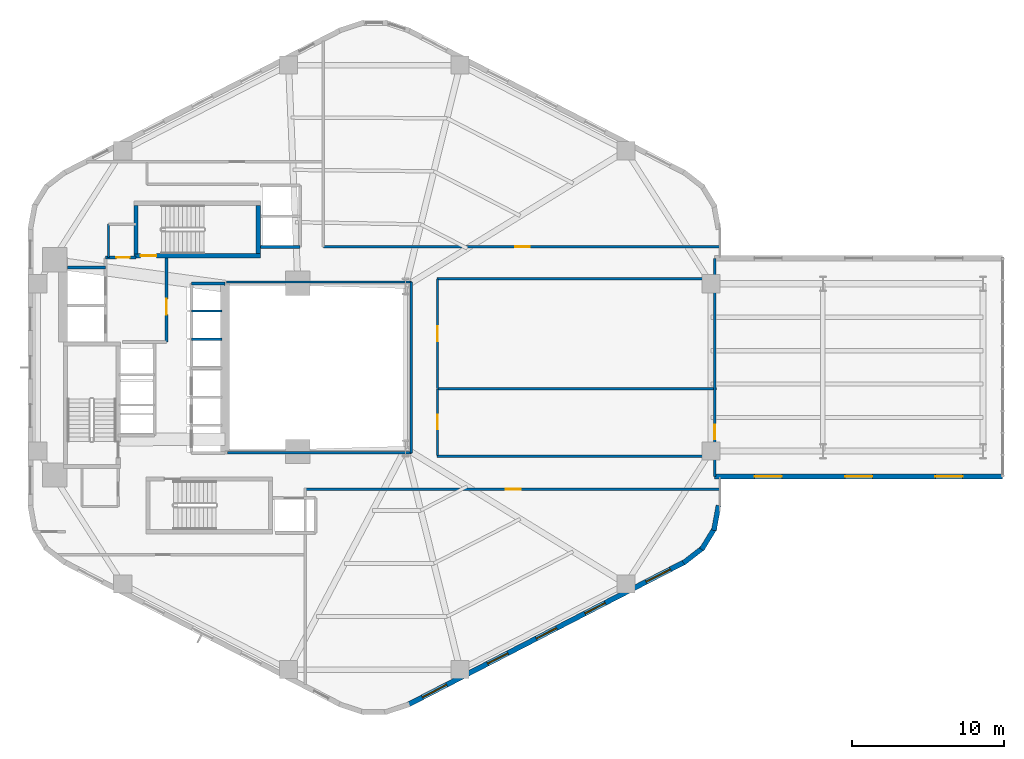
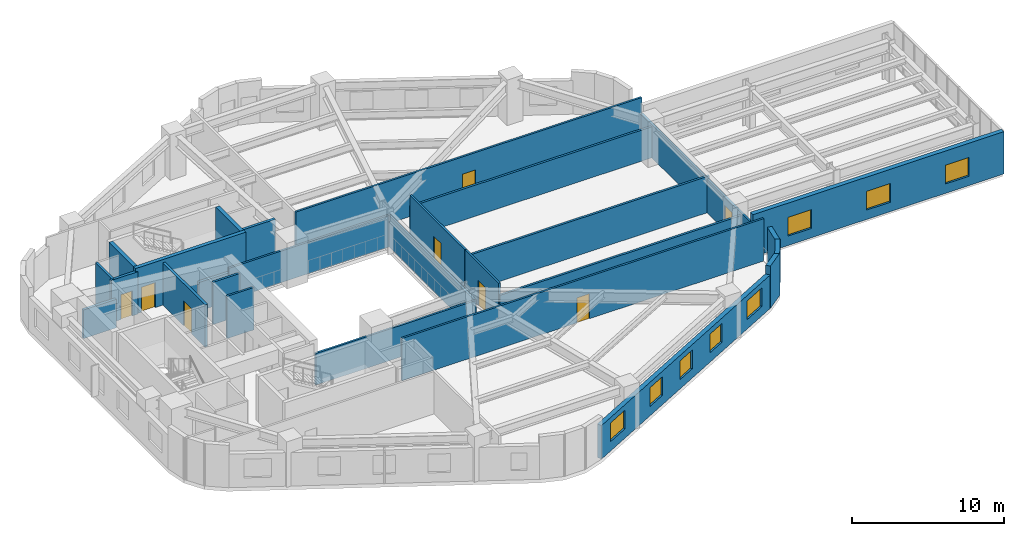
# One storey, part 6 of 10: 27 walls, 8 doors, 8 windows, 16 openings.
"""IFC4 building model written with IfcOpenShell, lengths in metres."""

from ifc_helpers import new_model, si_unit, direction, frame, frame_2d, origin, place, context, subcontext, project, spatial, rectangle, extrude, material, layer, layer_set, type_object, element, fill, save


model = new_model("IFC4")

# Units and contexts
model_context = context("Model", 3, precision=1e-05, world=origin(), true_north=direction((0.0, 1.0)))
body_context = subcontext(model_context, "Body", "Model", "MODEL_VIEW")
ifc_project = project(units=[si_unit("LENGTHUNIT", "METRE"), si_unit("AREAUNIT", "SQUARE_METRE"), si_unit("VOLUMEUNIT", "CUBIC_METRE"), si_unit("PLANEANGLEUNIT", "RADIAN"), si_unit("MASSUNIT", "GRAM", prefix="KILO"), si_unit("THERMODYNAMICTEMPERATUREUNIT", "KELVIN"), si_unit("POWERUNIT", "WATT")], contexts=[model_context])

# Site, building, storey
site_placement = place(None, origin())
site = spatial("IfcSite", under=ifc_project, at=site_placement, CompositionType="ELEMENT")
building_placement = place(site_placement, origin())
building = spatial("IfcBuilding", under=site, at=building_placement, Name="Skarre Station Tower", CompositionType="ELEMENT")
storey_placement = place(building_placement, frame((0.0, 0.0, 59.85009765625)))
storey = spatial("IfcBuildingStorey", under=building, at=storey_placement, Name="L15", CompositionType="ELEMENT", Elevation=59.85009765625)

# Walls
ifc_material_1 = material(Name="Acoustic Steel-Stud Gypsum Partition", Category="steel")
ifc_layer_1 = layer(ifc_material_1, 0.14990234375, Name="Acoustic Steel-Stud Gypsum Partition")
ifc_layer_set_1 = layer_set([ifc_layer_1], Name="Acoustic Steel-Stud Gypsum Partition")
wall_type_1 = type_object("IfcWallType", Name="Fire-Rated Corridor Acoustic Partition 150", PredefinedType="PARTITIONING", material=ifc_layer_set_1)
wall_1_placement = place(storey_placement, frame((19.85009765625, 33.449951171875, 0.0), z_axis=(0.0, 0.0, 1.0), x_axis=(0.0, -1.0, 0.0)))
element("IfcWall", 1, at=wall_1_placement, inside=storey, type_object=wall_type_1, Name="L15 Interior Partition WL-PT-L15-CNW-W", PredefinedType="PARTITIONING", context=body_context, shape_type="SweptSolid", body=[
    extrude(rectangle(XDim=2.18994140625, YDim=0.14990234375, at=frame_2d((1.094970703125, 0.0))), origin(), (0.0, 0.0, 1.0), 3.389892578125),
])
wall_2_placement = place(storey_placement, frame((27.699951171875, 18.360107421875, 0.0), z_axis=(0.0, 0.0, 1.0), x_axis=(1.0, 0.0, 0.0)))
element("IfcWall", 2, at=wall_2_placement, inside=storey, type_object=wall_type_1, Name="L15 Interior Partition WL-PT-L15-ATRW-S", PredefinedType="PARTITIONING", context=body_context, shape_type="SweptSolid", body=[
    extrude(rectangle(XDim=12.14013671875, YDim=0.14990234375, at=frame_2d((6.070068359375, 0.0))), origin(), (0.0, 0.0, 1.0), 2.531005859375),
])
wall_3_placement = place(storey_placement, frame((39.840087890625, 29.639892578125, 0.0), z_axis=(0.0, 0.0, 1.0), x_axis=(-1.0, 0.0, 0.0)))
element("IfcWall", 3, at=wall_3_placement, inside=storey, type_object=wall_type_1, Name="L15 Interior Partition WL-PT-L15-ATRW-N", PredefinedType="PARTITIONING", context=body_context, shape_type="SweptSolid", body=[
    extrude(rectangle(XDim=12.2001953125, YDim=0.14990234375, at=frame_2d((6.10009765625, 0.0))), origin(), (0.0, 0.0, 1.0), 2.531005859375),
])
wall_4_placement = place(storey_placement, frame((39.840087890625, 18.360107421875, 0.0), z_axis=(0.0, 0.0, 1.0), x_axis=(0.0, 1.0, 0.0)))
element("IfcWall", 4, at=wall_4_placement, inside=storey, type_object=wall_type_1, Name="L15 Interior Partition WL-PT-L15-ATRW-E", PredefinedType="PARTITIONING", context=body_context, shape_type="SweptSolid", body=[
    extrude(rectangle(XDim=11.27978515625, YDim=0.14990234375, at=frame_2d((5.639892578125, 0.0))), origin(), (0.0, 0.0, 1.0), 2.512939453125),
])

# Wall, opening, door
wall_5_placement = place(storey_placement, frame((60.2529296875, 31.9599609375, 0.0), z_axis=(0.0, 0.0, 1.0), x_axis=(-1.0, 0.0, 0.0)))
wall_5 = element("IfcWall", 5, at=wall_5_placement, inside=storey, type_object=wall_type_1, Name="L15 Interior Partition WL-PT-L15-NW1-CW", PredefinedType="PARTITIONING", context=body_context, shape_type="SweptSolid", body=[
    extrude(rectangle(XDim=26.212890625, YDim=0.14990234375, at=frame_2d((13.1064453125, 0.0))), origin(), (0.0, 0.0, 1.0), 3.389892578125),
])
opening_1_placement = place(wall_5_placement, frame((12.612060546875, 0.0, 0.0)))
opening_1 = element("IfcOpeningElement", 6, at=opening_1_placement, cuts=wall_5, Name="Opening DR-FD60", PredefinedType="OPENING", context=body_context, shape_type="SweptSolid", body=[
    extrude(rectangle(XDim=0.9599609375, YDim=2.0, at=frame_2d((0.47998046875, 1.0))), frame((0.0, 0.0849609375, 0.0), z_axis=(0.0, -1.0, 0.0), x_axis=(1.0, 0.0, 0.0)), (0.0, 0.0, 1.0), 0.169921875),
])
ifc_material_2 = material(Name="Nordic White-Oak Veneer Solid-Core Fire Leaf", Category="wood")
door_type_1 = type_object("IfcDoorType", Name="Corridor Suite Entry Fire Door FD60 960x2150", OperationType="SINGLE_SWING_LEFT", PredefinedType="DOOR", material=ifc_material_2)
door_1_placement = place(opening_1_placement, origin())
door_1 = element("IfcDoor", 7, at=door_1_placement, inside=storey, type_object=door_type_1, Name="L15 NW1 Entry Door", OperationType="SINGLE_SWING_LEFT", OverallHeight=2.0, OverallWidth=0.9599609375, PredefinedType="DOOR", context=body_context, shape_type="SweptSolid", body=[
    extrude(rectangle(XDim=0.9599609375, YDim=2.0, at=frame_2d((0.47998046875, 1.0))), frame((0.0, 0.02490234375, 0.0), z_axis=(0.0, -1.0, 0.0), x_axis=(1.0, 0.0, 0.0)), (0.0, 0.0, 1.0), 0.050048828125),
])
fill(opening_1, door_1)

wall_6_placement = place(storey_placement, frame((41.56005859375, 18.179931640625, 0.0), z_axis=(0.0, 0.0, 1.0), x_axis=(0.0, 1.0, 0.0)))
wall_6 = element("IfcWall", 8, at=wall_6_placement, inside=storey, type_object=wall_type_1, Name="L15 Interior Partition WL-PT-L15-EW1-CW", PredefinedType="PARTITIONING", context=body_context, shape_type="SweptSolid", body=[
    extrude(rectangle(XDim=4.405029296875, YDim=0.14990234375, at=frame_2d((2.20263671875, 0.0))), origin(), (0.0, 0.0, 1.0), 3.389892578125),
])
opening_2_placement = place(wall_6_placement, frame((1.722900390625, 0.0, 0.0)))
opening_2 = element("IfcOpeningElement", 9, at=opening_2_placement, cuts=wall_6, Name="Opening DR-FD60", PredefinedType="OPENING", context=body_context, shape_type="SweptSolid", body=[
    extrude(rectangle(XDim=0.9599609375, YDim=2.0, at=frame_2d((0.47998046875, 1.0))), frame((0.0, 0.0849609375, 0.0), z_axis=(0.0, -1.0, 0.0), x_axis=(1.0, 0.0, 0.0)), (0.0, 0.0, 1.0), 0.169921875),
])
door_2_placement = place(opening_2_placement, origin())
door_2 = element("IfcDoor", 10, at=door_2_placement, inside=storey, type_object=door_type_1, Name="L15 EW1 Entry Door", OperationType="SINGLE_SWING_LEFT", OverallHeight=2.0, OverallWidth=0.9599609375, PredefinedType="DOOR", context=body_context, shape_type="SweptSolid", body=[
    extrude(rectangle(XDim=0.9599609375, YDim=2.0, at=frame_2d((0.47998046875, 1.0))), frame((0.0, 0.02490234375, 0.0), z_axis=(0.0, -1.0, 0.0), x_axis=(1.0, 0.0, 0.0)), (0.0, 0.0, 1.0), 0.050048828125),
])
fill(opening_2, door_2)

wall_7_placement = place(storey_placement, frame((41.56005859375, 22.62109375, 0.0), z_axis=(0.0, 0.0, 1.0), x_axis=(0.0, 1.0, 0.0)))
wall_7 = element("IfcWall", 11, at=wall_7_placement, inside=storey, type_object=wall_type_1, Name="L15 Interior Partition WL-PT-L15-EW2-CW", PredefinedType="PARTITIONING", context=body_context, shape_type="SweptSolid", body=[
    extrude(rectangle(XDim=7.198974609375, YDim=0.14990234375, at=frame_2d((3.599609375, 0.0))), origin(), (0.0, 0.0, 1.0), 3.389892578125),
])
opening_3_placement = place(wall_7_placement, frame((3.1201171875, 0.0, 0.0)))
opening_3 = element("IfcOpeningElement", 12, at=opening_3_placement, cuts=wall_7, Name="Opening DR-FD60", PredefinedType="OPENING", context=body_context, shape_type="SweptSolid", body=[
    extrude(rectangle(XDim=0.9599609375, YDim=2.0, at=frame_2d((0.47998046875, 1.0))), frame((0.0, 0.0849609375, 0.0), z_axis=(0.0, -1.0, 0.0), x_axis=(1.0, 0.0, 0.0)), (0.0, 0.0, 1.0), 0.169921875),
])
door_3_placement = place(opening_3_placement, origin())
door_3 = element("IfcDoor", 13, at=door_3_placement, inside=storey, type_object=door_type_1, Name="L15 EW2 Entry Door", OperationType="SINGLE_SWING_LEFT", OverallHeight=2.0, OverallWidth=0.9599609375, PredefinedType="DOOR", context=body_context, shape_type="SweptSolid", body=[
    extrude(rectangle(XDim=0.9599609375, YDim=2.0, at=frame_2d((0.47998046875, 1.0))), frame((0.0, 0.02490234375, 0.0), z_axis=(0.0, -1.0, 0.0), x_axis=(1.0, 0.0, 0.0)), (0.0, 0.0, 1.0), 0.050048828125),
])
fill(opening_3, door_3)

wall_8_placement = place(storey_placement, frame((32.85009765625, 15.9599609375, 0.0), z_axis=(0.0, 0.0, 1.0), x_axis=(1.0, 0.0, 0.0)))
wall_8 = element("IfcWall", 14, at=wall_8_placement, inside=storey, type_object=wall_type_1, Name="L15 Interior Partition WL-PT-L15-SW1-CW", PredefinedType="PARTITIONING", context=body_context, shape_type="SweptSolid", body=[
    extrude(rectangle(XDim=27.40283203125, YDim=0.14990234375, at=frame_2d((13.701416015625, 0.0))), origin(), (0.0, 0.0, 1.0), 3.389892578125),
])
opening_4_placement = place(wall_8_placement, frame((13.235107421875, 0.0, 0.0)))
opening_4 = element("IfcOpeningElement", 15, at=opening_4_placement, cuts=wall_8, Name="Opening DR-FD60", PredefinedType="OPENING", context=body_context, shape_type="SweptSolid", body=[
    extrude(rectangle(XDim=0.9599609375, YDim=2.0, at=frame_2d((0.47998046875, 1.0))), frame((0.0, 0.0849609375, 0.0), z_axis=(0.0, -1.0, 0.0), x_axis=(1.0, 0.0, 0.0)), (0.0, 0.0, 1.0), 0.169921875),
])
door_4_placement = place(opening_4_placement, origin())
door_4 = element("IfcDoor", 16, at=door_4_placement, inside=storey, type_object=door_type_1, Name="L15 SW1 Entry Door", OperationType="SINGLE_SWING_LEFT", OverallHeight=2.0, OverallWidth=0.9599609375, PredefinedType="DOOR", context=body_context, shape_type="SweptSolid", body=[
    extrude(rectangle(XDim=0.9599609375, YDim=2.0, at=frame_2d((0.47998046875, 1.0))), frame((0.0, 0.02490234375, 0.0), z_axis=(0.0, -1.0, 0.0), x_axis=(1.0, 0.0, 0.0)), (0.0, 0.0, 1.0), 0.050048828125),
])
fill(opening_4, door_4)

# Wall, openings, windows
ifc_material_3 = material(Name="Precast concrete C45/55", Category="concrete")
ifc_layer_2 = layer(ifc_material_3, 0.340087890625, Name="Precast concrete C45/55")
ifc_layer_set_2 = layer_set([ifc_layer_2], Name="Precast concrete C45/55")
wall_type_2 = type_object("IfcWallType", Name="Nordic Honed Precast Facet Wall 340", PredefinedType="STANDARD", material=ifc_layer_set_2)
wall_9_placement = place(storey_placement, frame((57.8759765625, 11.158935546875, 0.0), z_axis=(0.0, 0.0, 1.0), x_axis=(-0.888634413993, -0.458616264721, 0.0)))
wall_9 = element("IfcWall", 17, at=wall_9_placement, inside=storey, type_object=wall_type_2, Name="L15 Facet 4 Nordic Precast Masonry Wall", PredefinedType="STANDARD", context=body_context, shape_type="SweptSolid", body=[
    extrude(rectangle(XDim=20.53125, YDim=0.340087890625, at=frame_2d((10.265625, 0.0))), origin(), (0.0, 0.0, 1.0), 2.683837890625),
])
opening_5_placement = place(wall_9_placement, frame((1.05810546875, 0.0, 0.75)))
opening_5 = element("IfcOpeningElement", 18, at=opening_5_placement, cuts=wall_9, Name="Opening WN-Z1A", PredefinedType="OPENING", context=body_context, shape_type="SweptSolid", body=[
    extrude(rectangle(XDim=1.800048828125, YDim=1.5, at=frame_2d((0.89990234375, 0.75))), frame((0.0, 0.179931640625, 0.0), z_axis=(0.0, -1.0, 0.0), x_axis=(1.0, 0.0, 0.0)), (0.0, 0.0, 1.0), 0.360107421875),
])
opening_6_placement = place(wall_9_placement, frame((5.903076171875, 0.0, 0.75)))
opening_6 = element("IfcOpeningElement", 19, at=opening_6_placement, cuts=wall_9, Name="Opening WN-Z1B", PredefinedType="OPENING", context=body_context, shape_type="SweptSolid", body=[
    extrude(rectangle(XDim=1.5, YDim=1.5, at=frame_2d((0.75, 0.75))), frame((0.0, 0.179931640625, 0.0), z_axis=(0.0, -1.0, 0.0), x_axis=(1.0, 0.0, 0.0)), (0.0, 0.0, 1.0), 0.360107421875),
])
opening_7_placement = place(wall_9_placement, frame((9.51611328125, 0.0, 0.75)))
opening_7 = element("IfcOpeningElement", 20, at=opening_7_placement, cuts=wall_9, Name="Opening WN-Z1B", PredefinedType="OPENING", context=body_context, shape_type="SweptSolid", body=[
    extrude(rectangle(XDim=1.5, YDim=1.5, at=frame_2d((0.75, 0.75))), frame((0.0, 0.179931640625, 0.0), z_axis=(0.0, -1.0, 0.0), x_axis=(1.0, 0.0, 0.0)), (0.0, 0.0, 1.0), 0.360107421875),
])
opening_8_placement = place(wall_9_placement, frame((13.12890625, 0.0, 0.75)))
opening_8 = element("IfcOpeningElement", 21, at=opening_8_placement, cuts=wall_9, Name="Opening WN-Z1B", PredefinedType="OPENING", context=body_context, shape_type="SweptSolid", body=[
    extrude(rectangle(XDim=1.5, YDim=1.5, at=frame_2d((0.75, 0.75))), frame((0.0, 0.179931640625, 0.0), z_axis=(0.0, -1.0, 0.0), x_axis=(1.0, 0.0, 0.0)), (0.0, 0.0, 1.0), 0.360107421875),
])
opening_9_placement = place(wall_9_placement, frame((17.673095703125, 0.0, 0.75)))
opening_9 = element("IfcOpeningElement", 22, at=opening_9_placement, cuts=wall_9, Name="Opening WN-Z1A", PredefinedType="OPENING", context=body_context, shape_type="SweptSolid", body=[
    extrude(rectangle(XDim=1.800048828125, YDim=1.5, at=frame_2d((0.89990234375, 0.75))), frame((0.0, 0.179931640625, 0.0), z_axis=(0.0, -1.0, 0.0), x_axis=(1.0, 0.0, 0.0)), (0.0, 0.0, 1.0), 0.360107421875),
])
ifc_material_4 = material(Name="Low-Iron Triple Glazing with Bronze Anodized Frame", Category="glass")
window_type_1 = type_object("IfcWindowType", Name="Nordic Punched Triple-Glazed Window 1500x1500", PartitioningType="SINGLE_PANEL", PredefinedType="WINDOW", material=ifc_material_4)
window_1_placement = place(opening_6_placement, origin())
window_1 = element("IfcWindow", 23, at=window_1_placement, inside=storey, type_object=window_type_1, Name="L15 Facade Window WL-FAC-L15-F4-2", OverallHeight=1.5, OverallWidth=1.5, PartitioningType="SINGLE_PANEL", PredefinedType="WINDOW", context=body_context, shape_type="SweptSolid", body=[
    extrude(rectangle(XDim=1.5, YDim=1.5, at=frame_2d((0.75, 0.75))), frame((0.0, 0.030029296875, 0.0), z_axis=(0.0, -1.0, 0.0), x_axis=(1.0, 0.0, 0.0)), (0.0, 0.0, 1.0), 0.06005859375),
])
fill(opening_6, window_1)
window_2_placement = place(opening_7_placement, origin())
window_2 = element("IfcWindow", 24, at=window_2_placement, inside=storey, type_object=window_type_1, Name="L15 Facade Window WL-FAC-L15-F4-3", OverallHeight=1.5, OverallWidth=1.5, PartitioningType="SINGLE_PANEL", PredefinedType="WINDOW", context=body_context, shape_type="SweptSolid", body=[
    extrude(rectangle(XDim=1.5, YDim=1.5, at=frame_2d((0.75, 0.75))), frame((0.0, 0.030029296875, 0.0), z_axis=(0.0, -1.0, 0.0), x_axis=(1.0, 0.0, 0.0)), (0.0, 0.0, 1.0), 0.06005859375),
])
fill(opening_7, window_2)
window_3_placement = place(opening_8_placement, origin())
window_3 = element("IfcWindow", 25, at=window_3_placement, inside=storey, type_object=window_type_1, Name="L15 Facade Window WL-FAC-L15-F4-4", OverallHeight=1.5, OverallWidth=1.5, PartitioningType="SINGLE_PANEL", PredefinedType="WINDOW", context=body_context, shape_type="SweptSolid", body=[
    extrude(rectangle(XDim=1.5, YDim=1.5, at=frame_2d((0.75, 0.75))), frame((0.0, 0.030029296875, 0.0), z_axis=(0.0, -1.0, 0.0), x_axis=(1.0, 0.0, 0.0)), (0.0, 0.0, 1.0), 0.06005859375),
])
fill(opening_8, window_3)
window_type_2 = type_object("IfcWindowType", Name="Nordic Punched Triple-Glazed Window 1800x1500", PartitioningType="SINGLE_PANEL", PredefinedType="WINDOW", material=ifc_material_4)
window_4_placement = place(opening_5_placement, origin())
window_4 = element("IfcWindow", 26, at=window_4_placement, inside=storey, type_object=window_type_2, Name="L15 Facade Window WL-FAC-L15-F4-1", OverallHeight=1.5, OverallWidth=1.800048828125, PartitioningType="SINGLE_PANEL", PredefinedType="WINDOW", context=body_context, shape_type="SweptSolid", body=[
    extrude(rectangle(XDim=1.800048828125, YDim=1.5, at=frame_2d((0.89990234375, 0.75))), frame((0.0, 0.030029296875, 0.0), z_axis=(0.0, -1.0, 0.0), x_axis=(1.0, 0.0, 0.0)), (0.0, 0.0, 1.0), 0.06005859375),
])
fill(opening_5, window_4)
window_5_placement = place(opening_9_placement, origin())
window_5 = element("IfcWindow", 27, at=window_5_placement, inside=storey, type_object=window_type_2, Name="L15 Facade Window WL-FAC-L15-F4-5", OverallHeight=1.5, OverallWidth=1.800048828125, PartitioningType="SINGLE_PANEL", PredefinedType="WINDOW", context=body_context, shape_type="SweptSolid", body=[
    extrude(rectangle(XDim=1.800048828125, YDim=1.5, at=frame_2d((0.89990234375, 0.75))), frame((0.0, 0.030029296875, 0.0), z_axis=(0.0, -1.0, 0.0), x_axis=(1.0, 0.0, 0.0)), (0.0, 0.0, 1.0), 0.06005859375),
])
fill(opening_9, window_5)

wall_10_placement = place(storey_placement, frame((78.863037109375, 16.800048828125, 0.0), z_axis=(0.0, 0.0, 1.0), x_axis=(-1.0, 0.0, 0.0)))
wall_10 = element("IfcWall", 28, at=wall_10_placement, inside=storey, type_object=wall_type_2, Name="L15 SB-1 Side 1 Precast Wall", PredefinedType="STANDARD", context=body_context, shape_type="SweptSolid", body=[
    extrude(rectangle(XDim=19.0, YDim=0.340087890625, at=frame_2d((9.5, 0.0))), origin(), (0.0, 0.0, 1.0), 3.389892578125),
])
opening_10_placement = place(wall_10_placement, frame((2.633056640625, 0.0, 0.75)))
opening_10 = element("IfcOpeningElement", 29, at=opening_10_placement, cuts=wall_10, Name="Opening WN-Z1A", PredefinedType="OPENING", context=body_context, shape_type="SweptSolid", body=[
    extrude(rectangle(XDim=1.800048828125, YDim=1.5, at=frame_2d((0.89990234375, 0.75))), frame((0.0, 0.179931640625, 0.0), z_axis=(0.0, -1.0, 0.0), x_axis=(1.0, 0.0, 0.0)), (0.0, 0.0, 1.0), 0.360107421875),
])
opening_11_placement = place(wall_10_placement, frame((8.60009765625, 0.0, 0.75)))
opening_11 = element("IfcOpeningElement", 30, at=opening_11_placement, cuts=wall_10, Name="Opening WN-Z1A", PredefinedType="OPENING", context=body_context, shape_type="SweptSolid", body=[
    extrude(rectangle(XDim=1.800048828125, YDim=1.5, at=frame_2d((0.89990234375, 0.75))), frame((0.0, 0.179931640625, 0.0), z_axis=(0.0, -1.0, 0.0), x_axis=(1.0, 0.0, 0.0)), (0.0, 0.0, 1.0), 0.360107421875),
])
opening_12_placement = place(wall_10_placement, frame((14.56689453125, 0.0, 0.75)))
opening_12 = element("IfcOpeningElement", 31, at=opening_12_placement, cuts=wall_10, Name="Opening WN-Z1A", PredefinedType="OPENING", context=body_context, shape_type="SweptSolid", body=[
    extrude(rectangle(XDim=1.800048828125, YDim=1.5, at=frame_2d((0.89990234375, 0.75))), frame((0.0, 0.179931640625, 0.0), z_axis=(0.0, -1.0, 0.0), x_axis=(1.0, 0.0, 0.0)), (0.0, 0.0, 1.0), 0.360107421875),
])
window_6_placement = place(opening_10_placement, origin())
window_6 = element("IfcWindow", 32, at=window_6_placement, inside=storey, type_object=window_type_2, Name="L15 Facade Window WL-SB-1-L15-S1-1", OverallHeight=1.5, OverallWidth=1.800048828125, PartitioningType="SINGLE_PANEL", PredefinedType="WINDOW", context=body_context, shape_type="SweptSolid", body=[
    extrude(rectangle(XDim=1.800048828125, YDim=1.5, at=frame_2d((0.89990234375, 0.75))), frame((0.0, 0.030029296875, 0.0), z_axis=(0.0, -1.0, 0.0), x_axis=(1.0, 0.0, 0.0)), (0.0, 0.0, 1.0), 0.06005859375),
])
fill(opening_10, window_6)
window_7_placement = place(opening_11_placement, origin())
window_7 = element("IfcWindow", 33, at=window_7_placement, inside=storey, type_object=window_type_2, Name="L15 Facade Window WL-SB-1-L15-S1-2", OverallHeight=1.5, OverallWidth=1.800048828125, PartitioningType="SINGLE_PANEL", PredefinedType="WINDOW", context=body_context, shape_type="SweptSolid", body=[
    extrude(rectangle(XDim=1.800048828125, YDim=1.5, at=frame_2d((0.89990234375, 0.75))), frame((0.0, 0.030029296875, 0.0), z_axis=(0.0, -1.0, 0.0), x_axis=(1.0, 0.0, 0.0)), (0.0, 0.0, 1.0), 0.06005859375),
])
fill(opening_11, window_7)
window_8_placement = place(opening_12_placement, origin())
window_8 = element("IfcWindow", 34, at=window_8_placement, inside=storey, type_object=window_type_2, Name="L15 Facade Window WL-SB-1-L15-S1-3", OverallHeight=1.5, OverallWidth=1.800048828125, PartitioningType="SINGLE_PANEL", PredefinedType="WINDOW", context=body_context, shape_type="SweptSolid", body=[
    extrude(rectangle(XDim=1.800048828125, YDim=1.5, at=frame_2d((0.89990234375, 0.75))), frame((0.0, 0.030029296875, 0.0), z_axis=(0.0, -1.0, 0.0), x_axis=(1.0, 0.0, 0.0)), (0.0, 0.0, 1.0), 0.06005859375),
])
fill(opening_12, window_8)

# Walls
ifc_layer_3 = layer(ifc_material_3, 0.330078125, Name="Precast concrete C45/55")
ifc_layer_set_3 = layer_set([ifc_layer_3], Name="Precast concrete C45/55")
wall_type_3 = type_object("IfcWallType", Name="Nordic Rounded Corner Precast Wall 330", PredefinedType="STANDARD", material=ifc_layer_set_3)
wall_11_placement = place(storey_placement, frame((60.113037109375, 14.89208984375, 0.0), z_axis=(0.0, 0.0, 1.0), x_axis=(-0.181714143354, -0.983351397063, 0.0)))
element("IfcWall", 35, at=wall_11_placement, inside=storey, type_object=wall_type_3, Name="L15 Rounded Corner Precast Wall F5-1", PredefinedType="STANDARD", context=body_context, shape_type="SweptSolid", body=[
    extrude(rectangle(XDim=1.677978515625, YDim=0.330078125, at=frame_2d((0.8388671875, 0.0))), origin(), (0.0, 0.0, 1.0), 3.389892578125),
])
wall_12_placement = place(storey_placement, frame((59.875, 13.4169921875, 0.0), z_axis=(0.0, 0.0, 1.0), x_axis=(-0.520584129191, -0.853810379671, 0.0)))
element("IfcWall", 36, at=wall_12_placement, inside=storey, type_object=wall_type_3, Name="L15 Rounded Corner Precast Wall F5-2", PredefinedType="STANDARD", context=body_context, shape_type="SweptSolid", body=[
    extrude(rectangle(XDim=1.677001953125, YDim=0.330078125, at=frame_2d((0.83837890625, 0.0))), origin(), (0.0, 0.0, 1.0), 3.389892578125),
])
wall_13_placement = place(storey_placement, frame((59.126953125, 12.125, 0.0), z_axis=(0.0, 0.0, 1.0), x_axis=(-0.790691856293, -0.61221433207, 0.0)))
element("IfcWall", 37, at=wall_13_placement, inside=storey, type_object=wall_type_3, Name="L15 Rounded Corner Precast Wall F5-3", PredefinedType="STANDARD", context=body_context, shape_type="SweptSolid", body=[
    extrude(rectangle(XDim=1.67578125, YDim=0.330078125, at=frame_2d((0.837890625, 0.0))), origin(), (0.0, 0.0, 1.0), 3.389892578125),
])

# Wall, opening, door
ifc_material_5 = material(Name="Concrete C50/60", Category="concrete")
ifc_layer_4 = layer(ifc_material_5, 0.280029296875, Name="Concrete C50/60")
ifc_layer_set_4 = layer_set([ifc_layer_4], Name="Concrete C50/60")
wall_type_4 = type_object("IfcWallType", Name="RC Core Shear Wall 280", PredefinedType="SHEAR", material=ifc_layer_set_4)
wall_14_placement = place(storey_placement, frame((21.52001953125, 31.360107421875, 0.0), z_axis=(0.0, 0.0, 1.0), x_axis=(1.0, 0.0, 0.0)))
wall_14 = element("IfcWall", 38, at=wall_14_placement, inside=storey, type_object=wall_type_4, Name="L15 Stair ST-3 South Shear Wall", PredefinedType="SHEAR", context=body_context, shape_type="SweptSolid", body=[
    extrude(rectangle(XDim=8.35986328125, YDim=0.280029296875, at=frame_2d((4.179931640625, 0.0))), origin(), (0.0, 0.0, 1.0), 3.64990234375),
])
opening_13_placement = place(wall_14_placement, frame((0.449951171875, 0.0, 0.0)))
opening_13 = element("IfcOpeningElement", 39, at=opening_13_placement, cuts=wall_14, Name="Opening DR-FD90", PredefinedType="OPENING", context=body_context, shape_type="SweptSolid", body=[
    extrude(rectangle(XDim=1.050048828125, YDim=2.0, at=frame_2d((0.52490234375, 1.0))), frame((0.0, 0.14990234375, 0.0), z_axis=(0.0, -1.0, 0.0), x_axis=(1.0, 0.0, 0.0)), (0.0, 0.0, 1.0), 0.300048828125),
])
ifc_material_6 = material(Name="Fire-Rated Insulated Steel Frame & Timber Core Leaf", Category="steel")
door_type_2 = type_object("IfcDoorType", Name="Stair & FSAE Lobby Fire Door FD90 1050x2150", OperationType="SINGLE_SWING_RIGHT", PredefinedType="DOOR", material=ifc_material_6)
door_5_placement = place(opening_13_placement, origin())
door_5 = element("IfcDoor", 40, at=door_5_placement, inside=storey, type_object=door_type_2, Name="L15 Stair ST-3 & FSAE Lobby Direct Exit Door", OperationType="SINGLE_SWING_LEFT", OverallHeight=2.0, OverallWidth=1.050048828125, PredefinedType="DOOR", context=body_context, shape_type="SweptSolid", body=[
    extrude(rectangle(XDim=1.050048828125, YDim=2.0, at=frame_2d((0.52490234375, 1.0))), frame((0.0, 0.02490234375, 0.0), z_axis=(0.0, -1.0, 0.0), x_axis=(1.0, 0.0, 0.0)), (0.0, 0.0, 1.0), 0.050048828125),
])
fill(opening_13, door_5)

# Walls
for number, where, z_axis, x_axis, name in (
    (41, (21.659912109375, 34.699951171875, 0.0), (0.0, 0.0, 1.0), (0.0, -1.0, 0.0), "L15 Stair ST-3 West Shear Wall"),
    (42, (29.739990234375, 31.5, 0.0), (0.0, 0.0, 1.0), (0.0, 1.0, 0.0), "L15 Stair ST-3 East Shear Wall"),
):
    element("IfcWall", number, at=place(storey_placement, frame(where, z_axis=z_axis, x_axis=x_axis)), inside=storey, type_object=wall_type_4, Name=name, PredefinedType="SHEAR", context=body_context, shape_type="SweptSolid", body=[
        extrude(rectangle(XDim=3.199951171875, YDim=0.280029296875, at=frame_2d((1.60009765625, 0.0))), origin(), (0.0, 0.0, 1.0), 3.64990234375),
    ])

# Wall, opening, door
ifc_material_7 = material(Name="Gypsum Concrete Shaft Assembly C30/37", Category="concrete")
ifc_layer_5 = layer(ifc_material_7, 0.199951171875, Name="Gypsum Concrete Shaft Assembly C30/37")
ifc_layer_set_5 = layer_set([ifc_layer_5], Name="Gypsum Concrete Shaft Assembly C30/37")
wall_type_5 = type_object("IfcWallType", Name="Shaft & Core Fire Partition 200", PredefinedType="PARTITIONING", material=ifc_layer_set_5)
wall_15_placement = place(storey_placement, frame((23.679931640625, 25.679931640625, 0.0), z_axis=(0.0, 0.0, 1.0), x_axis=(0.0, 1.0, 0.0)))
wall_15 = element("IfcWall", 43, at=wall_15_placement, inside=storey, type_object=wall_type_5, Name="L15 Interior Partition WL-PT-L15-FSAE-E", PredefinedType="PARTITIONING", context=body_context, shape_type="SweptSolid", body=[
    extrude(rectangle(XDim=5.5400390625, YDim=0.199951171875, at=frame_2d((2.77001953125, 0.0))), origin(), (0.0, 0.0, 1.0), 3.389892578125),
])
opening_14_placement = place(wall_15_placement, frame((1.800048828125, 0.0, 0.0)))
opening_14 = element("IfcOpeningElement", 44, at=opening_14_placement, cuts=wall_15, Name="Opening DR-FD90", PredefinedType="OPENING", context=body_context, shape_type="SweptSolid", body=[
    extrude(rectangle(XDim=1.050048828125, YDim=2.0, at=frame_2d((0.52490234375, 1.0))), frame((0.0, 0.10986328125, 0.0), z_axis=(0.0, -1.0, 0.0), x_axis=(1.0, 0.0, 0.0)), (0.0, 0.0, 1.0), 0.219970703125),
])
door_6_placement = place(opening_14_placement, origin())
door_6 = element("IfcDoor", 45, at=door_6_placement, inside=storey, type_object=door_type_2, Name="L15 FSAE Lobby Fire Door", OperationType="SINGLE_SWING_RIGHT", OverallHeight=2.0, OverallWidth=1.050048828125, PredefinedType="DOOR", context=body_context, shape_type="SweptSolid", body=[
    extrude(rectangle(XDim=1.050048828125, YDim=2.0, at=frame_2d((0.52490234375, 1.0))), frame((0.0, 0.02490234375, 0.0), z_axis=(0.0, -1.0, 0.0), x_axis=(1.0, 0.0, 0.0)), (0.0, 0.0, 1.0), 0.050048828125),
])
fill(opening_14, door_6)

wall_16_placement = place(storey_placement, frame((21.659912109375, 31.260009765625, 0.0), z_axis=(0.0, 0.0, 1.0), x_axis=(-1.0, 0.0, 0.0)))
wall_16 = element("IfcWall", 46, at=wall_16_placement, inside=storey, type_object=wall_type_5, Name="L15 Interior Partition WL-PT-L15-FSAE-N", PredefinedType="PARTITIONING", context=body_context, shape_type="SweptSolid", body=[
    extrude(rectangle(XDim=2.010009765625, YDim=0.199951171875, at=frame_2d((1.0048828125, 0.0))), origin(), (0.0, 0.0, 1.0), 3.389892578125),
])
opening_15_placement = place(wall_16_placement, frame((0.419921875, 0.0, 0.0)))
opening_15 = element("IfcOpeningElement", 47, at=opening_15_placement, cuts=wall_16, Name="Opening DR-SVC86", PredefinedType="OPENING", context=body_context, shape_type="SweptSolid", body=[
    extrude(rectangle(XDim=0.860107421875, YDim=2.0, at=frame_2d((0.43017578125, 1.0))), frame((0.0, 0.10986328125, 0.0), z_axis=(0.0, -1.0, 0.0), x_axis=(1.0, 0.0, 0.0)), (0.0, 0.0, 1.0), 0.219970703125),
])
ifc_material_8 = material(Name="Powder-Coated Hollow-Metal Acoustic Fire Leaf", Category="steel")
door_type_3 = type_object("IfcDoorType", Name="Compact Riser Fire Door FD60 860x2100", OperationType="SINGLE_SWING_LEFT", PredefinedType="DOOR", material=ifc_material_8)
door_7_placement = place(opening_15_placement, origin())
door_7 = element("IfcDoor", 48, at=door_7_placement, inside=storey, type_object=door_type_3, Name="L15 Core Service Room Lobby Door", OperationType="SINGLE_SWING_LEFT", OverallHeight=2.0, OverallWidth=0.860107421875, PredefinedType="DOOR", context=body_context, shape_type="SweptSolid", body=[
    extrude(rectangle(XDim=0.860107421875, YDim=2.0, at=frame_2d((0.43017578125, 1.0))), frame((0.0, 0.02490234375, 0.0), z_axis=(0.0, -1.0, 0.0), x_axis=(1.0, 0.0, 0.0)), (0.0, 0.0, 1.0), 0.050048828125),
])
fill(opening_15, door_7)

# Walls
wall_17_placement = place(storey_placement, frame((19.64990234375, 30.60009765625, 0.0), z_axis=(0.0, 0.0, 1.0), x_axis=(-1.0, 0.0, 0.0)))
element("IfcWall", 49, at=wall_17_placement, inside=storey, type_object=wall_type_5, Name="L15 Interior Partition WL-PT-L15-FF-N", PredefinedType="PARTITIONING", context=body_context, shape_type="SweptSolid", body=[
    extrude(rectangle(XDim=2.5, YDim=0.199951171875, at=frame_2d((1.25, 0.0))), origin(), (0.0, 0.0, 1.0), 2.289794921875),
])
wall_18_placement = place(storey_placement, frame((32.47998046875, 31.949951171875, 0.0), z_axis=(0.0, 0.0, 1.0), x_axis=(-1.0, 0.0, 0.0)))
element("IfcWall", 50, at=wall_18_placement, inside=storey, type_object=wall_type_5, Name="L15 Interior Partition WL-PT-L15-EX-S", PredefinedType="PARTITIONING", context=body_context, shape_type="SweptSolid", body=[
    extrude(rectangle(XDim=2.60009765625, YDim=0.199951171875, at=frame_2d((1.300048828125, 0.0))), origin(), (0.0, 0.0, 1.0), 3.389892578125),
])
wall_19_placement = place(storey_placement, frame((27.550048828125, 29.52001953125, 0.0), z_axis=(0.0, 0.0, 1.0), x_axis=(-0.999909343457, 0.013464949556, 0.0)))
element("IfcWall", 51, at=wall_19_placement, inside=storey, type_object=wall_type_5, Name="L15 Interior Partition WL-PT-L15-B12-N", PredefinedType="PARTITIONING", context=body_context, shape_type="SweptSolid", body=[
    extrude(rectangle(XDim=2.230224609375, YDim=0.199951171875, at=frame_2d((1.115234375, 0.0))), origin(), (0.0, 0.0, 1.0), 2.289794921875),
])
for number, where, z_axis, x_axis, name in (
    (52, (25.320068359375, 25.8701171875, 0.0), (0.0, 0.0, 1.0), (1.0, 0.0, 0.0), "L15 Interior Partition WL-PT-L15-B12-D258"),
    (53, (25.320068359375, 27.719970703125, 0.0), (0.0, 0.0, 1.0), (1.0, 0.0, 0.0), "L15 Interior Partition WL-PT-L15-B12-D277"),
):
    element("IfcWall", number, at=place(storey_placement, frame(where, z_axis=z_axis, x_axis=x_axis)), inside=storey, type_object=wall_type_5, Name=name, PredefinedType="PARTITIONING", context=body_context, shape_type="SweptSolid", body=[
        extrude(rectangle(XDim=2.030029296875, YDim=0.159912109375, at=frame_2d((1.01513671875, 0.0))), origin(), (0.0, 0.0, 1.0), 3.389892578125),
    ])
ifc_layer_6 = layer(ifc_material_1, 0.1650390625, Name="Acoustic Steel-Stud Gypsum Partition")
ifc_layer_set_6 = layer_set([ifc_layer_6], Name="Acoustic Steel-Stud Gypsum Partition")
wall_type_6 = type_object("IfcWallType", Name="Suite Demising Acoustic Partition 165", PredefinedType="PARTITIONING", material=ifc_layer_set_6)
for number, where, z_axis, x_axis, name in (
    (54, (41.52001953125, 18.139892578125, 0.0), (0.0, 0.0, 1.0), (1.0, 0.0, 0.0), "L15 Interior Partition WL-PT-L15-EWB-S"),
    (55, (41.52001953125, 29.860107421875, 0.0), (0.0, 0.0, 1.0), (1.0, 0.0, 0.0), "L15 Interior Partition WL-PT-L15-EWB-N"),
):
    element("IfcWall", number, at=place(storey_placement, frame(where, z_axis=z_axis, x_axis=x_axis)), inside=storey, type_object=wall_type_6, Name=name, PredefinedType="PARTITIONING", context=body_context, shape_type="SweptSolid", body=[
        extrude(rectangle(XDim=18.452880859375, YDim=0.1650390625, at=frame_2d((9.2265625, 0.0))), origin(), (0.0, 0.0, 1.0), 2.48779296875),
    ])
wall_20_placement = place(storey_placement, frame((41.590087890625, 22.60302734375, 0.0), z_axis=(0.0, 0.0, 1.0), x_axis=(1.0, 0.0, 0.0)))
element("IfcWall", 56, at=wall_20_placement, inside=storey, type_object=wall_type_6, Name="L15 Interior Partition WL-PT-L15-EW-P1", PredefinedType="PARTITIONING", context=body_context, shape_type="SweptSolid", body=[
    extrude(rectangle(XDim=18.3828125, YDim=0.1650390625, at=frame_2d((9.19140625, 0.0))), origin(), (0.0, 0.0, 1.0), 2.90185546875),
])

# Wall, opening, door
wall_21_placement = place(storey_placement, frame((59.863037109375, 16.800048828125, 0.0), z_axis=(0.0, 0.0, 1.0), x_axis=(0.0, 1.0, 0.0)))
wall_21 = element("IfcWall", 57, at=wall_21_placement, inside=storey, type_object=wall_type_6, Name="L15 Interior Partition WL-PT-L15-SB-1-ROOT", PredefinedType="PARTITIONING", context=body_context, shape_type="SweptSolid", body=[
    extrude(rectangle(XDim=14.39990234375, YDim=0.1650390625, at=frame_2d((7.199951171875, 0.0))), origin(), (0.0, 0.0, 1.0), 2.683837890625),
])
opening_16_placement = place(wall_21_placement, frame((2.449951171875, 0.0, 0.0)))
opening_16 = element("IfcOpeningElement", 58, at=opening_16_placement, cuts=wall_21, Name="Opening DR-FD60", PredefinedType="OPENING", context=body_context, shape_type="SweptSolid", body=[
    extrude(rectangle(XDim=0.9599609375, YDim=2.0, at=frame_2d((0.47998046875, 1.0))), frame((0.0, 0.092529296875, 0.0), z_axis=(0.0, -1.0, 0.0), x_axis=(1.0, 0.0, 0.0)), (0.0, 0.0, 1.0), 0.18505859375),
])
door_8_placement = place(opening_16_placement, origin())
door_8 = element("IfcDoor", 59, at=door_8_placement, inside=storey, type_object=door_type_1, Name="L15 SB-1 Horizon Salon Door", OperationType="SINGLE_SWING_LEFT", OverallHeight=2.0, OverallWidth=0.9599609375, PredefinedType="DOOR", context=body_context, shape_type="SweptSolid", body=[
    extrude(rectangle(XDim=0.9599609375, YDim=2.0, at=frame_2d((0.47998046875, 1.0))), frame((0.0, 0.02490234375, 0.0), z_axis=(0.0, -1.0, 0.0), x_axis=(1.0, 0.0, 0.0)), (0.0, 0.0, 1.0), 0.050048828125),
])
fill(opening_16, door_8)

save(model, "model.ifc")
